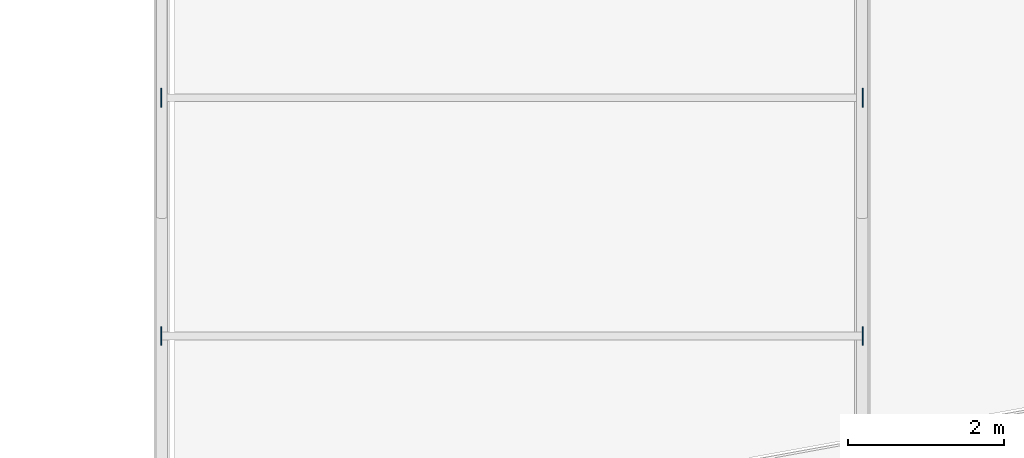
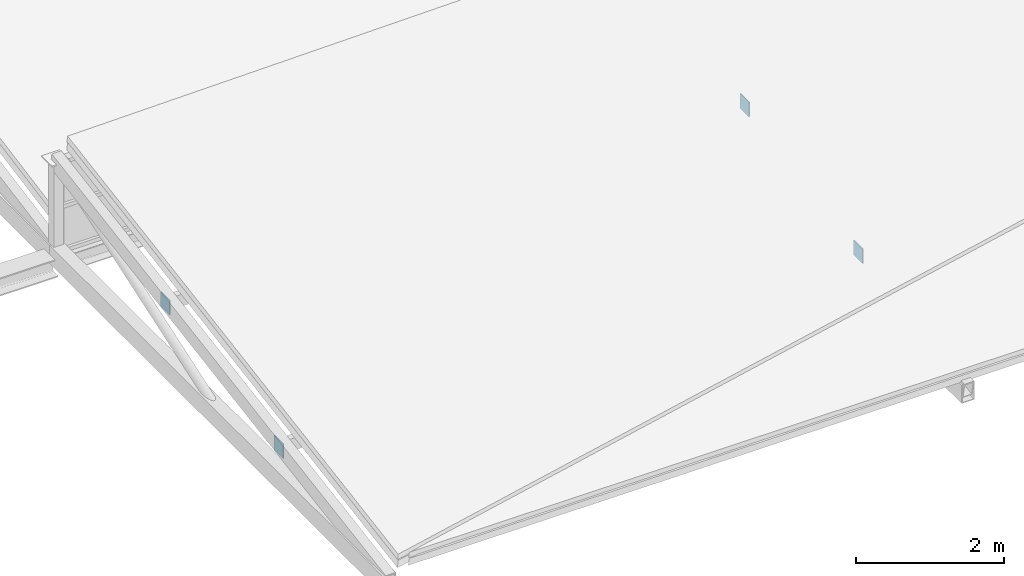
# One storey, part 75 of 103: 4 plates.
"""IFC4 building model written with IfcOpenShell, lengths in metres."""

import ifcopenshell
import ifcopenshell.guid

model = None  # the IFC model being written
_history = None  # IfcOwnerHistory: only IFC2X3 demands one
_inside = {}  # id of a spatial element -> (the spatial element, [elements in it])
_under = {}  # id of a project, library or spatial element -> (it, [spatial elements below it])
_declared = {}  # id of a project -> (the project, [libraries it declares])
_typed = {}  # id of a type object -> (the type object, [elements of that type])
_made_of = {}  # id of a material, layer set ... -> (it, [elements and type objects made of it])


def new_model(schema):
    """Start an empty IFC model of exactly this schema.

    Asked for "IFC4X3", IfcOpenShell would pick the latest addendum, in which some entities
    have other attributes; the version numbers below select the first issue.
    IFC2X3 requires an IfcOwnerHistory on every rooted entity: one is made here for all.
    """
    global model, _history
    if schema == "IFC4X3":
        model = ifcopenshell.file(schema_version=(4, 3, 0, 0))
    else:
        model = ifcopenshell.file(schema=schema)
    _inside.clear()
    _under.clear()
    _declared.clear()
    _typed.clear()
    _made_of.clear()
    _history = None
    if model.schema == "IFC2X3":
        org = make("IfcOrganization", Name="unknown")
        user = make(
            "IfcPersonAndOrganization",
            ThePerson=make("IfcPerson", FamilyName="unknown"),
            TheOrganization=org,
        )
        app = make(
            "IfcApplication",
            ApplicationDeveloper=org,
            Version="unknown",
            ApplicationFullName="unknown",
            ApplicationIdentifier="unknown",
        )
        _history = make(
            "IfcOwnerHistory",
            OwningUser=user,
            OwningApplication=app,
            ChangeAction="ADDED",
            CreationDate=0,
        )
    return model


def make(cls, **values):
    """One entity of the class cls with the attributes given. An attribute that is None is left unset."""
    return model.create_entity(
        cls, **{name: value for name, value in values.items() if value is not None}
    )


def rooted(cls, **values):
    """An entity with a GlobalId (a new one), such as an element, a storey or a relation."""
    return make(cls, GlobalId=ifcopenshell.guid.new(), OwnerHistory=_history, **values)


def si_unit(unit_type, name, prefix=None):
    """IfcSIUnit, for example si_unit("LENGTHUNIT", "METRE", prefix="MILLI")."""
    return make("IfcSIUnit", UnitType=unit_type, Prefix=prefix, Name=name)


def assignment(units):
    """IfcUnitAssignment: the units of a project."""
    return None if units is None else make("IfcUnitAssignment", Units=units)


def point(xyz):
    """IfcCartesianPoint."""
    return None if xyz is None else make("IfcCartesianPoint", Coordinates=xyz)


def direction(xyz):
    """IfcDirection."""
    return None if xyz is None else make("IfcDirection", DirectionRatios=xyz)


def frame(location, z_axis=None, x_axis=None):
    """IfcAxis2Placement3D, a coordinate frame: its origin and axes. An axis left out is left unset."""
    return make(
        "IfcAxis2Placement3D",
        Location=point(location),
        Axis=direction(z_axis),
        RefDirection=direction(x_axis),
    )


def frame_2d(location, x_axis=None):
    """IfcAxis2Placement2D, a coordinate frame in the plane: its origin and x axis."""
    return make(
        "IfcAxis2Placement2D", Location=point(location), RefDirection=direction(x_axis)
    )


def origin():
    """The frame at (0, 0, 0) with its axes left unset."""
    return frame((0.0, 0.0, 0.0))


def origin_2d():
    """The frame at (0, 0) in the plane with its x axis left unset."""
    return frame_2d((0.0, 0.0))


def place(relative_to, where):
    """IfcLocalPlacement: puts the frame where relative to a parent placement (None: the world)."""
    return make(
        "IfcLocalPlacement", PlacementRelTo=relative_to, RelativePlacement=where
    )


def context(
    kind, dimensions, precision=None, world=None, true_north=None, identifier=None
):
    """IfcGeometricRepresentationContext, for example the 3D "Model" context."""
    return make(
        "IfcGeometricRepresentationContext",
        ContextIdentifier=identifier,
        ContextType=kind,
        CoordinateSpaceDimension=dimensions,
        Precision=precision,
        WorldCoordinateSystem=world,
        TrueNorth=true_north,
    )


def subcontext(parent, identifier, kind, view, scale=None):
    """IfcGeometricRepresentationSubContext, for example "Body" below "Model"."""
    return make(
        "IfcGeometricRepresentationSubContext",
        ContextIdentifier=identifier,
        ContextType=kind,
        ParentContext=parent,
        TargetScale=scale,
        TargetView=view,
    )


def project(units=None, contexts=None):
    """IfcProject with its units and contexts."""
    return rooted(
        "IfcProject",
        Name="project",
        RepresentationContexts=contexts,
        UnitsInContext=assignment(units),
    )


def spatial(cls, under=None, at=None, **own):
    """A site, building, storey or space (cls), placed at a placement, below another one or the project."""
    s = rooted(cls, ObjectPlacement=at, **own)
    if under is not None:
        _under.setdefault(under.id(), (under, []))[1].append(s)
    return s


def profile(cls, at=None, kind="AREA", **sizes):
    """A parametric profile (cls). Its sizes go by their IFC names, for example OverallWidth=200.0."""
    return make(cls, ProfileType=kind, Position=at, **sizes)


def rectangle(**sizes):
    """IfcRectangleProfileDef."""
    return profile("IfcRectangleProfileDef", **sizes)


def extrude(swept, where, along, depth):
    """IfcExtrudedAreaSolid: the profile swept, set in the frame where, extruded along a direction by depth."""
    return make(
        "IfcExtrudedAreaSolid",
        SweptArea=swept,
        Position=where,
        ExtrudedDirection=direction(along),
        Depth=depth,
    )


def shape(context_of_items, identifier, shape_type, items):
    """IfcShapeRepresentation: the items that make up one representation, for example the "Body"."""
    return make(
        "IfcShapeRepresentation",
        ContextOfItems=context_of_items,
        RepresentationIdentifier=identifier,
        RepresentationType=shape_type,
        Items=items,
    )


def material(Name=None, Category=None):
    """IfcMaterial."""
    return make("IfcMaterial", Name=Name, Category=Category)


def layer(
    of_material, thickness, ventilated=None, Name=None, Category=None, Priority=None
):
    """IfcMaterialLayer: one layer of a wall or slab, of a material (None: an air gap)."""
    return make(
        "IfcMaterialLayer",
        Material=of_material,
        LayerThickness=thickness,
        IsVentilated=ventilated,
        Name=Name,
        Category=Category,
        Priority=Priority,
    )


def layer_set(layers, Name=None):
    """IfcMaterialLayerSet."""
    return make("IfcMaterialLayerSet", MaterialLayers=layers, LayerSetName=Name)


def made_of(thing, what):
    """Note that an element or type object is made of a material, layer set ...; save() writes the relation."""
    if what is not None:
        _made_of.setdefault(what.id(), (what, []))[1].append(thing)
    return thing


def type_object(cls, material=None, **own):
    """A type object (cls), such as IfcWallType, which elements share."""
    return made_of(rooted(cls, **own), material)


def element(
    cls,
    number,
    at=None,
    inside=None,
    cuts=None,
    type_object=None,
    material=None,
    context=None,
    identifier="Body",
    shape_type=None,
    held_by="IfcProductDefinitionShape",
    body=None,
    shapes=None,
    **own,
):
    """One element of the class cls, such as IfcWall. Its Tag is "e" and its number.

    at: its placement. inside: the storey or other place that contains it. cuts: it is an
    opening in that element (IfcRelVoidsElement). A single representation is given by context,
    identifier, shape_type and body (its items); several are given by shapes. held_by: the class
    of the entity that holds the representations. save() writes the other relations.
    """
    e = rooted(cls, Tag="e%d" % number, ObjectPlacement=at, **own)
    if body is not None:
        shapes = [shape(context, identifier, shape_type, body)]
    if shapes is not None:
        e.Representation = make(held_by, Representations=shapes)
    if inside is not None:
        _inside.setdefault(inside.id(), (inside, []))[1].append(e)
    if cuts is not None:
        rooted(
            "IfcRelVoidsElement", RelatingBuildingElement=cuts, RelatedOpeningElement=e
        )
    if type_object is not None:
        _typed.setdefault(type_object.id(), (type_object, []))[1].append(e)
    return made_of(e, material)


def aggregate(whole, parts):
    """IfcRelAggregates: a whole, such as a stair, and the parts it consists of."""
    return rooted("IfcRelAggregates", RelatingObject=whole, RelatedObjects=parts)


def save(model, path):
    """Write the relations noted so far, then the file.

    IfcRelAggregates (storeys below a building ...), IfcRelContainedInSpatialStructure (elements
    in a storey), IfcRelDefinesByType, IfcRelAssociatesMaterial and IfcRelDeclares: one each for
    every whole, place, type object, material and project.
    """
    for whole, parts in _under.values():
        aggregate(whole, parts)
    for where, things in _inside.values():
        rooted(
            "IfcRelContainedInSpatialStructure",
            RelatedElements=things,
            RelatingStructure=where,
        )
    for kind, things in _typed.values():
        rooted("IfcRelDefinesByType", RelatedObjects=things, RelatingType=kind)
    for what, things in _made_of.values():
        rooted("IfcRelAssociatesMaterial", RelatedObjects=things, RelatingMaterial=what)
    for by, libraries in _declared.values():
        rooted("IfcRelDeclares", RelatingContext=by, RelatedDefinitions=libraries)
    model.write(path)


model = new_model("IFC4")

# Units and contexts
model_context = context("Model", 3, precision=1e-05, world=origin(), true_north=direction((0.0, 1.0)))
body_context = subcontext(model_context, "Body", "Model", "MODEL_VIEW")
ifc_project = project(units=[si_unit("LENGTHUNIT", "METRE"), si_unit("AREAUNIT", "SQUARE_METRE"), si_unit("VOLUMEUNIT", "CUBIC_METRE"), si_unit("PLANEANGLEUNIT", "RADIAN"), si_unit("MASSUNIT", "GRAM", prefix="KILO")], contexts=[model_context])

# Site, building, storey
site_placement = place(None, origin())
site = spatial("IfcSite", under=ifc_project, at=site_placement, CompositionType="ELEMENT")
building_placement = place(site_placement, origin())
building = spatial("IfcBuilding", under=site, at=building_placement, Name="Deido Ridge Mobility Hub", CompositionType="ELEMENT")
storey_placement = place(building_placement, frame((0.0, 0.0, 12.60009765625)))
storey = spatial("IfcBuildingStorey", under=building, at=storey_placement, Name="L03", CompositionType="ELEMENT", Elevation=12.60009765625)

# Plates
ifc_material = material(Name="Steel S355J2 EN 10025-2", Category="steel")
ifc_layer = layer(ifc_material, 0.01611328125, Name="Steel S355J2 EN 10025-2")
ifc_layer_set = layer_set([ifc_layer], Name="Steel S355J2 EN 10025-2")
plate_type = type_object("IfcPlateType", Name="PLT-CAP-16", PredefinedType="USERDEFINED", material=ifc_layer_set)
for number, where, z_axis, x_axis, name in (
    (1, (-0.008056640625, 56.969970703125, 0.33837890625), (0.0, 0.0, 1.0), (1.0, 0.0, 0.0), "Hollow member sealed end-cap plate EC1-199"),
    (2, (9.008056640625, 56.969970703125, 0.39111328125), (0.0, 0.0, 1.0), (1.0, 0.0, 0.0), "Hollow member sealed end-cap plate EC1-200"),
    (3, (-0.008056640625, 60.030029296875, 0.84130859375), (0.0, 0.0, 1.0), (1.0, 0.0, 0.0), "Hollow member sealed end-cap plate EC1-203"),
    (4, (9.008056640625, 60.030029296875, 0.94873046875), (0.0, 0.0, 1.0), (1.0, 0.0, 0.0), "Hollow member sealed end-cap plate EC1-204"),
):
    element("IfcPlate", number, at=place(storey_placement, frame(where, z_axis=z_axis, x_axis=x_axis)), inside=storey, type_object=plate_type, Name=name, ObjectType="END CAP PLATE", PredefinedType="USERDEFINED", context=body_context, shape_type="SweptSolid", body=[
        extrude(rectangle(XDim=0.01611328125, YDim=0.239990234375, at=origin_2d()), origin(), (0.0, 0.0, 1.0), 0.239990234375),
    ])

save(model, "model.ifc")
